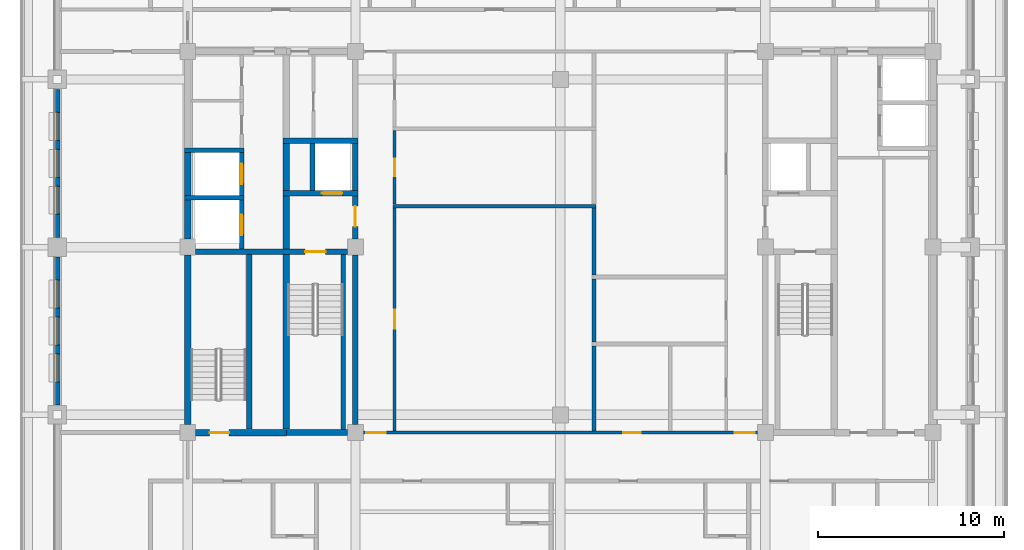
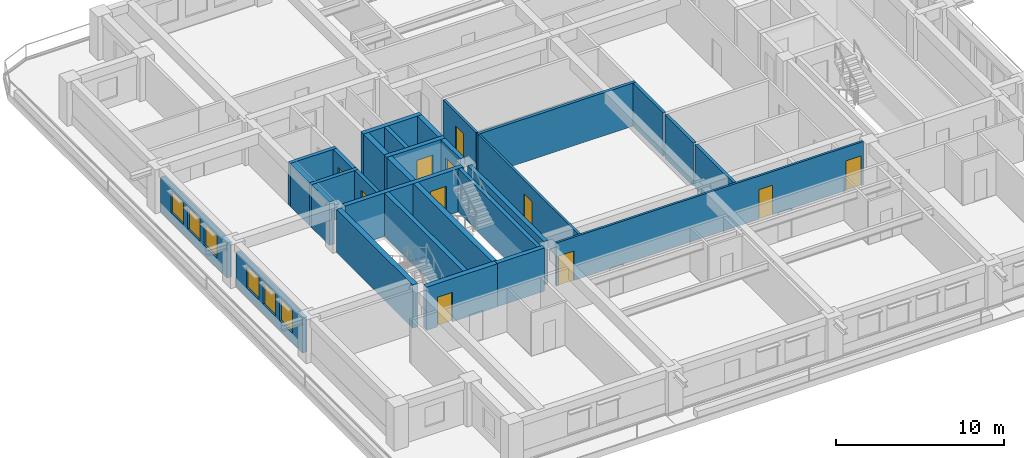
# One storey, part 3 of 14: 30 walls, 11 doors, 6 windows, 17 openings.
"""IFC4 building model written with IfcOpenShell, lengths in metres."""

from ifc_helpers import new_model, si_unit, direction, frame, frame_2d, origin, place, context, subcontext, project, spatial, rectangle, extrude, material, layer, layer_set, type_object, element, fill, save


model = new_model("IFC4")

# Units and contexts
model_context = context("Model", 3, precision=1e-05, world=origin(), true_north=direction((0.0, 1.0)))
body_context = subcontext(model_context, "Body", "Model", "MODEL_VIEW")
ifc_project = project(units=[si_unit("LENGTHUNIT", "METRE"), si_unit("AREAUNIT", "SQUARE_METRE"), si_unit("VOLUMEUNIT", "CUBIC_METRE"), si_unit("PLANEANGLEUNIT", "RADIAN"), si_unit("MASSUNIT", "GRAM", prefix="KILO")], contexts=[model_context])

# Site, building, storey
site_placement = place(None, origin())
site = spatial("IfcSite", under=ifc_project, at=site_placement, CompositionType="ELEMENT")
building_placement = place(site_placement, origin())
building = spatial("IfcBuilding", under=site, at=building_placement, Name="Zulmaris Gate Convention Tower", CompositionType="ELEMENT")
storey_placement = place(building_placement, frame((0.0, 0.0, 198.260009765625)))
storey = spatial("IfcBuildingStorey", under=building, at=storey_placement, Name="L51", CompositionType="ELEMENT", Elevation=198.260009765625)

# Walls
ifc_material_1 = material(Name="Concrete C50/60", Category="concrete")
ifc_layer_1 = layer(ifc_material_1, 0.25, Name="Concrete C50/60")
ifc_layer_set_1 = layer_set([ifc_layer_1], Name="Concrete C50/60")
wall_type_1 = type_object("IfcWallType", Name="CORE-250", PredefinedType="SOLIDWALL", material=ifc_layer_set_1)
for number, where, z_axis, x_axis, name in (
    (1, (-20.175048828125, 2.64990234375, 0.0), (0.0, 0.0, 1.0), (1.0, 0.0, 0.0), "WL-L51-007"),
    (2, (-20.175048828125, 5.199951171875, 0.0), (0.0, 0.0, 1.0), (1.0, 0.0, 0.0), "WL-L51-010"),
):
    element("IfcWall", number, at=place(storey_placement, frame(where, z_axis=z_axis, x_axis=x_axis)), inside=storey, type_object=wall_type_1, Name=name, PredefinedType="SOLIDWALL", context=body_context, shape_type="SweptSolid", body=[
        extrude(rectangle(XDim=3.199951171875, YDim=0.25, at=frame_2d((1.60009765625, 0.0))), origin(), (0.0, 0.0, 1.0), 3.14990234375),
    ])

# Wall, opening, door
wall_1_placement = place(storey_placement, frame((-17.10009765625, -0.097900390625, 0.0), z_axis=(0.0, 0.0, 1.0), x_axis=(0.0, 1.0, 0.0)))
wall_1 = element("IfcWall", 3, at=wall_1_placement, inside=storey, type_object=wall_type_1, Name="WL-L51-045", PredefinedType="SOLIDWALL", context=body_context, shape_type="SweptSolid", body=[
    extrude(rectangle(XDim=2.620849609375, YDim=0.25, at=frame_2d((1.310546875, 0.0))), origin(), (0.0, 0.0, 1.0), 3.14990234375),
])
opening_1_placement = place(wall_1_placement, frame((0.748046875, 0.0, 0.0)))
opening_1 = element("IfcOpeningElement", 4, at=opening_1_placement, cuts=wall_1, Name="Opening D-06", PredefinedType="OPENING", context=body_context, shape_type="SweptSolid", body=[
    extrude(rectangle(XDim=1.10009765625, YDim=2.199951171875, at=frame_2d((0.550048828125, 1.10009765625))), frame((0.0, 0.135009765625, 0.0), z_axis=(0.0, -1.0, 0.0), x_axis=(1.0, 0.0, 0.0)), (0.0, 0.0, 1.0), 0.27001953125),
])
ifc_material_2 = material(Name="Brushed Stainless Steel", Category="steel")
door_type_1 = type_object("IfcDoorType", Name="LD-1100", OperationType="NOTDEFINED", PredefinedType="DOOR", material=ifc_material_2)
door_1_placement = place(opening_1_placement, origin())
door_1 = element("IfcDoor", 5, at=door_1_placement, inside=storey, type_object=door_type_1, Name="L51 Lift Landing Door HP-03 11", OperationType="SLIDING_TO_LEFT", OverallHeight=2.199951171875, OverallWidth=1.10009765625, PredefinedType="DOOR", context=body_context, shape_type="SweptSolid", body=[
    extrude(rectangle(XDim=1.10009765625, YDim=2.199951171875, at=frame_2d((0.550048828125, 1.10009765625))), frame((0.0, 0.02490234375, 0.0), z_axis=(0.0, -1.0, 0.0), x_axis=(1.0, 0.0, 0.0)), (0.0, 0.0, 1.0), 0.050048828125),
])
fill(opening_1, door_1)

wall_2_placement = place(storey_placement, frame((-17.10009765625, 2.777099609375, 0.0), z_axis=(0.0, 0.0, 1.0), x_axis=(0.0, 1.0, 0.0)))
wall_2 = element("IfcWall", 6, at=wall_2_placement, inside=storey, type_object=wall_type_1, Name="WL-L51-046", PredefinedType="SOLIDWALL", context=body_context, shape_type="SweptSolid", body=[
    extrude(rectangle(XDim=2.2958984375, YDim=0.25, at=frame_2d((1.14794921875, 0.0))), origin(), (0.0, 0.0, 1.0), 3.14990234375),
])
opening_2_placement = place(wall_2_placement, frame((0.597900390625, 0.0, 0.0)))
opening_2 = element("IfcOpeningElement", 7, at=opening_2_placement, cuts=wall_2, Name="Opening D-06", PredefinedType="OPENING", context=body_context, shape_type="SweptSolid", body=[
    extrude(rectangle(XDim=1.10009765625, YDim=2.199951171875, at=frame_2d((0.550048828125, 1.10009765625))), frame((0.0, 0.135009765625, 0.0), z_axis=(0.0, -1.0, 0.0), x_axis=(1.0, 0.0, 0.0)), (0.0, 0.0, 1.0), 0.27001953125),
])
door_2_placement = place(opening_2_placement, origin())
door_2 = element("IfcDoor", 8, at=door_2_placement, inside=storey, type_object=door_type_1, Name="L51 Lift Landing Door HP-04 12", OperationType="SLIDING_TO_LEFT", OverallHeight=2.199951171875, OverallWidth=1.10009765625, PredefinedType="DOOR", context=body_context, shape_type="SweptSolid", body=[
    extrude(rectangle(XDim=1.10009765625, YDim=2.199951171875, at=frame_2d((0.550048828125, 1.10009765625))), frame((0.0, 0.02490234375, 0.0), z_axis=(0.0, -1.0, 0.0), x_axis=(1.0, 0.0, 0.0)), (0.0, 0.0, 1.0), 0.050048828125),
])
fill(opening_2, door_2)

# Walls
wall_3_placement = place(storey_placement, frame((-13.300048828125, 3.052001953125, 0.0), z_axis=(0.0, 0.0, 1.0), x_axis=(0.0, 1.0, 0.0)))
element("IfcWall", 9, at=wall_3_placement, inside=storey, type_object=wall_type_1, Name="WL-L51-052", PredefinedType="SOLIDWALL", context=body_context, shape_type="SweptSolid", body=[
    extrude(rectangle(XDim=2.49609375, YDim=0.25, at=frame_2d((1.248046875, 0.0))), origin(), (0.0, 0.0, 1.0), 3.14990234375),
])
wall_4_placement = place(storey_placement, frame((-11.64990234375, -9.798095703125, 0.0), z_axis=(0.0, 0.0, 1.0), x_axis=(0.0, 1.0, 0.0)))
element("IfcWall", 10, at=wall_4_placement, inside=storey, type_object=wall_type_1, Name="WL-L51-053", PredefinedType="SOLIDWALL", context=body_context, shape_type="SweptSolid", body=[
    extrude(rectangle(XDim=9.39599609375, YDim=0.25, at=frame_2d((4.697998046875, 0.0))), origin(), (0.0, 0.0, 1.0), 3.14990234375),
])
ifc_layer_2 = layer(ifc_material_1, 0.300048828125, Name="Concrete C50/60")
ifc_layer_set_2 = layer_set([ifc_layer_2], Name="Concrete C50/60")
wall_type_2 = type_object("IfcWallType", Name="CORE-300", PredefinedType="SHEAR", material=ifc_layer_set_2)
wall_5_placement = place(storey_placement, frame((-14.699951171875, -9.949951171875, 0.0), z_axis=(0.0, 0.0, 1.0), x_axis=(1.0, 0.0, 0.0)))
element("IfcWall", 11, at=wall_5_placement, inside=storey, type_object=wall_type_2, Name="WL-L51-002", PredefinedType="SHEAR", context=body_context, shape_type="SweptSolid", body=[
    extrude(rectangle(XDim=3.27099609375, YDim=0.300048828125, at=frame_2d((1.635498046875, 0.0))), origin(), (0.0, 0.0, 1.0), 3.14990234375),
])

# Wall, opening, door
wall_6_placement = place(storey_placement, frame((-19.571044921875, -0.25, 0.0), z_axis=(0.0, 0.0, 1.0), x_axis=(1.0, 0.0, 0.0)))
wall_6 = element("IfcWall", 12, at=wall_6_placement, inside=storey, type_object=wall_type_2, Name="WL-L51-005", PredefinedType="SHEAR", context=body_context, shape_type="SweptSolid", body=[
    extrude(rectangle(XDim=8.14208984375, YDim=0.300048828125, at=frame_2d((4.071044921875, 0.0))), origin(), (0.0, 0.0, 1.0), 3.14990234375),
])
opening_3_placement = place(wall_6_placement, frame((5.87109375, 0.0, 0.0)))
opening_3 = element("IfcOpeningElement", 13, at=opening_3_placement, cuts=wall_6, Name="Opening D-08", PredefinedType="OPENING", context=body_context, shape_type="SweptSolid", body=[
    extrude(rectangle(XDim=1.10009765625, YDim=2.14990234375, at=frame_2d((0.550048828125, 1.074951171875))), frame((0.0, 0.16015625, 0.0), z_axis=(0.0, -1.0, 0.0), x_axis=(1.0, 0.0, 0.0)), (0.0, 0.0, 1.0), 0.320068359375),
])
ifc_material_3 = material(Name="Fire-Rated Steel", Category="steel")
door_type_2 = type_object("IfcDoorType", Name="DR-1100-FD", OperationType="NOTDEFINED", PredefinedType="DOOR", material=ifc_material_3)
door_3_placement = place(opening_3_placement, origin())
door_3 = element("IfcDoor", 14, at=door_3_placement, inside=storey, type_object=door_type_2, Name="L51 Exit Stair ST-1 Door 01", OperationType="SINGLE_SWING_RIGHT", OverallHeight=2.14990234375, OverallWidth=1.10009765625, PredefinedType="DOOR", context=body_context, shape_type="SweptSolid", body=[
    extrude(rectangle(XDim=1.10009765625, YDim=2.14990234375, at=frame_2d((0.550048828125, 1.074951171875))), frame((0.0, 0.02490234375, 0.0), z_axis=(0.0, -1.0, 0.0), x_axis=(1.0, 0.0, 0.0)), (0.0, 0.0, 1.0), 0.050048828125),
])
fill(opening_3, door_3)

wall_7_placement = place(storey_placement, frame((-14.875, 2.89990234375, 0.0), z_axis=(0.0, 0.0, 1.0), x_axis=(1.0, 0.0, 0.0)))
wall_7 = element("IfcWall", 15, at=wall_7_placement, inside=storey, type_object=wall_type_2, Name="WL-L51-008", PredefinedType="SHEAR", context=body_context, shape_type="SweptSolid", body=[
    extrude(rectangle(XDim=4.02490234375, YDim=0.300048828125, at=frame_2d((2.012451171875, 0.0))), origin(), (0.0, 0.0, 1.0), 3.14990234375),
])
opening_4_placement = place(wall_7_placement, frame((2.074951171875, 0.0, 0.0)))
opening_4 = element("IfcOpeningElement", 16, at=opening_4_placement, cuts=wall_7, Name="Opening D-06", PredefinedType="OPENING", context=body_context, shape_type="SweptSolid", body=[
    extrude(rectangle(XDim=1.10009765625, YDim=2.199951171875, at=frame_2d((0.550048828125, 1.10009765625))), frame((0.0, 0.16015625, 0.0), z_axis=(0.0, -1.0, 0.0), x_axis=(1.0, 0.0, 0.0)), (0.0, 0.0, 1.0), 0.320068359375),
])
door_4_placement = place(opening_4_placement, origin())
door_4 = element("IfcDoor", 17, at=door_4_placement, inside=storey, type_object=door_type_1, Name="L51 Lift Landing Door LF-01 03", OperationType="SLIDING_TO_LEFT", OverallHeight=2.199951171875, OverallWidth=1.10009765625, PredefinedType="DOOR", context=body_context, shape_type="SweptSolid", body=[
    extrude(rectangle(XDim=1.10009765625, YDim=2.199951171875, at=frame_2d((0.550048828125, 1.10009765625))), frame((0.0, 0.02490234375, 0.0), z_axis=(0.0, -1.0, 0.0), x_axis=(1.0, 0.0, 0.0)), (0.0, 0.0, 1.0), 0.050048828125),
])
fill(opening_4, door_4)

# Walls
wall_8_placement = place(storey_placement, frame((-14.875, 5.699951171875, 0.0), z_axis=(0.0, 0.0, 1.0), x_axis=(1.0, 0.0, 0.0)))
element("IfcWall", 18, at=wall_8_placement, inside=storey, type_object=wall_type_2, Name="WL-L51-012", PredefinedType="SHEAR", context=body_context, shape_type="SweptSolid", body=[
    extrude(rectangle(XDim=4.02490234375, YDim=0.300048828125, at=frame_2d((2.012451171875, 0.0))), origin(), (0.0, 0.0, 1.0), 3.14990234375),
])
wall_9_placement = place(storey_placement, frame((-16.699951171875, -9.77294921875, 0.0), z_axis=(0.0, 0.0, 1.0), x_axis=(0.0, 1.0, 0.0)))
element("IfcWall", 19, at=wall_9_placement, inside=storey, type_object=wall_type_2, Name="WL-L51-047", PredefinedType="SHEAR", context=body_context, shape_type="SweptSolid", body=[
    extrude(rectangle(XDim=9.370849609375, YDim=0.300048828125, at=frame_2d((4.685546875, 0.0))), origin(), (0.0, 0.0, 1.0), 3.14990234375),
])
wall_10_placement = place(storey_placement, frame((-11.0, -9.52099609375, 0.0), z_axis=(0.0, 0.0, 1.0), x_axis=(0.0, 1.0, 0.0)))
element("IfcWall", 20, at=wall_10_placement, inside=storey, type_object=wall_type_2, Name="WL-L51-054", PredefinedType="SHEAR", context=body_context, shape_type="SweptSolid", body=[
    extrude(rectangle(XDim=9.092041015625, YDim=0.300048828125, at=frame_2d((4.5458984375, 0.0))), origin(), (0.0, 0.0, 1.0), 3.14990234375),
])

# Wall, opening, door
wall_11_placement = place(storey_placement, frame((-11.0, 0.428955078125, 0.0), z_axis=(0.0, 0.0, 1.0), x_axis=(0.0, 1.0, 0.0)))
wall_11 = element("IfcWall", 21, at=wall_11_placement, inside=storey, type_object=wall_type_2, Name="WL-L51-055", PredefinedType="SHEAR", context=body_context, shape_type="SweptSolid", body=[
    extrude(rectangle(XDim=2.319091796875, YDim=0.300048828125, at=frame_2d((1.15966796875, 0.0))), origin(), (0.0, 0.0, 1.0), 3.14990234375),
])
opening_5_placement = place(wall_11_placement, frame((0.6708984375, 0.0, 0.0)))
opening_5 = element("IfcOpeningElement", 22, at=opening_5_placement, cuts=wall_11, Name="Opening D-08", PredefinedType="OPENING", context=body_context, shape_type="SweptSolid", body=[
    extrude(rectangle(XDim=1.10009765625, YDim=2.14990234375, at=frame_2d((0.550048828125, 1.074951171875))), frame((0.0, 0.16015625, 0.0), z_axis=(0.0, -1.0, 0.0), x_axis=(1.0, 0.0, 0.0)), (0.0, 0.0, 1.0), 0.320068359375),
])
door_5_placement = place(opening_5_placement, origin())
door_5 = element("IfcDoor", 23, at=door_5_placement, inside=storey, type_object=door_type_2, Name="L51 West Firefighting Lobby Door 02", OperationType="SINGLE_SWING_LEFT", OverallHeight=2.14990234375, OverallWidth=1.10009765625, PredefinedType="DOOR", context=body_context, shape_type="SweptSolid", body=[
    extrude(rectangle(XDim=1.10009765625, YDim=2.14990234375, at=frame_2d((0.550048828125, 1.074951171875))), frame((0.0, 0.02490234375, 0.0), z_axis=(0.0, -1.0, 0.0), x_axis=(1.0, 0.0, 0.0)), (0.0, 0.0, 1.0), 0.050048828125),
])
fill(opening_5, door_5)

# Wall
wall_12_placement = place(storey_placement, frame((-11.0, 3.052001953125, 0.0), z_axis=(0.0, 0.0, 1.0), x_axis=(0.0, 1.0, 0.0)))
element("IfcWall", 24, at=wall_12_placement, inside=storey, type_object=wall_type_2, Name="WL-L51-056", PredefinedType="SHEAR", context=body_context, shape_type="SweptSolid", body=[
    extrude(rectangle(XDim=2.49609375, YDim=0.300048828125, at=frame_2d((1.248046875, 0.0))), origin(), (0.0, 0.0, 1.0), 3.14990234375),
])

# Wall, opening, door
ifc_material_4 = material(Name="Concrete C55/67", Category="concrete")
ifc_layer_3 = layer(ifc_material_4, 0.35009765625, Name="Concrete C55/67")
ifc_layer_set_3 = layer_set([ifc_layer_3], Name="Concrete C55/67")
wall_type_3 = type_object("IfcWallType", Name="CORE-350", PredefinedType="SHEAR", material=ifc_layer_set_3)
wall_13_placement = place(storey_placement, frame((-19.571044921875, -9.949951171875, 0.0), z_axis=(0.0, 0.0, 1.0), x_axis=(1.0, 0.0, 0.0)))
wall_13 = element("IfcWall", 25, at=wall_13_placement, inside=storey, type_object=wall_type_3, Name="WL-L51-001", PredefinedType="SHEAR", context=body_context, shape_type="SweptSolid", body=[
    extrude(rectangle(XDim=4.87109375, YDim=0.35009765625, at=frame_2d((2.435546875, 0.0))), origin(), (0.0, 0.0, 1.0), 3.14990234375),
])
opening_6_placement = place(wall_13_placement, frame((0.74609375, 0.0, 0.0)))
opening_6 = element("IfcOpeningElement", 26, at=opening_6_placement, cuts=wall_13, Name="Opening D-09", PredefinedType="OPENING", context=body_context, shape_type="SweptSolid", body=[
    extrude(rectangle(XDim=1.050048828125, YDim=2.14990234375, at=frame_2d((0.52490234375, 1.074951171875))), frame((0.0, 0.18505859375, 0.0), z_axis=(0.0, -1.0, 0.0), x_axis=(1.0, 0.0, 0.0)), (0.0, 0.0, 1.0), 0.3701171875),
])
door_type_3 = type_object("IfcDoorType", Name="DR-1050-FD", OperationType="NOTDEFINED", PredefinedType="DOOR", material=ifc_material_3)
door_6_placement = place(opening_6_placement, origin())
door_6 = element("IfcDoor", 27, at=door_6_placement, inside=storey, type_object=door_type_3, Name="L51 Exit Stair ST-3 Door 10", OperationType="SINGLE_SWING_LEFT", OverallHeight=2.14990234375, OverallWidth=1.050048828125, PredefinedType="DOOR", context=body_context, shape_type="SweptSolid", body=[
    extrude(rectangle(XDim=1.050048828125, YDim=2.14990234375, at=frame_2d((0.52490234375, 1.074951171875))), frame((0.0, 0.02490234375, 0.0), z_axis=(0.0, -1.0, 0.0), x_axis=(1.0, 0.0, 0.0)), (0.0, 0.0, 1.0), 0.050048828125),
])
fill(opening_6, door_6)

# Walls
wall_14_placement = place(storey_placement, frame((-20.0, -9.52099609375, 0.0), z_axis=(0.0, 0.0, 1.0), x_axis=(0.0, 1.0, 0.0)))
element("IfcWall", 28, at=wall_14_placement, inside=storey, type_object=wall_type_3, Name="WL-L51-041", PredefinedType="SHEAR", context=body_context, shape_type="SweptSolid", body=[
    extrude(rectangle(XDim=9.092041015625, YDim=0.35009765625, at=frame_2d((4.5458984375, 0.0))), origin(), (0.0, 0.0, 1.0), 3.14990234375),
])
wall_15_placement = place(storey_placement, frame((-20.0, 0.428955078125, 0.0), z_axis=(0.0, 0.0, 1.0), x_axis=(0.0, 1.0, 0.0)))
element("IfcWall", 29, at=wall_15_placement, inside=storey, type_object=wall_type_3, Name="WL-L51-042", PredefinedType="SHEAR", context=body_context, shape_type="SweptSolid", body=[
    extrude(rectangle(XDim=2.093994140625, YDim=0.35009765625, at=frame_2d((1.046875, 0.0))), origin(), (0.0, 0.0, 1.0), 3.14990234375),
])
wall_16_placement = place(storey_placement, frame((-20.0, 2.777099609375, 0.0), z_axis=(0.0, 0.0, 1.0), x_axis=(0.0, 1.0, 0.0)))
element("IfcWall", 30, at=wall_16_placement, inside=storey, type_object=wall_type_3, Name="WL-L51-043", PredefinedType="SHEAR", context=body_context, shape_type="SweptSolid", body=[
    extrude(rectangle(XDim=2.2958984375, YDim=0.35009765625, at=frame_2d((1.14794921875, 0.0))), origin(), (0.0, 0.0, 1.0), 3.14990234375),
])
wall_17_placement = place(storey_placement, frame((-14.699951171875, -9.77294921875, 0.0), z_axis=(0.0, 0.0, 1.0), x_axis=(0.0, 1.0, 0.0)))
element("IfcWall", 31, at=wall_17_placement, inside=storey, type_object=wall_type_3, Name="WL-L51-048", PredefinedType="SHEAR", context=body_context, shape_type="SweptSolid", body=[
    extrude(rectangle(XDim=9.370849609375, YDim=0.35009765625, at=frame_2d((4.685546875, 0.0))), origin(), (0.0, 0.0, 1.0), 3.14990234375),
])
wall_18_placement = place(storey_placement, frame((-14.699951171875, -0.097900390625, 0.0), z_axis=(0.0, 0.0, 1.0), x_axis=(0.0, 1.0, 0.0)))
element("IfcWall", 32, at=wall_18_placement, inside=storey, type_object=wall_type_3, Name="WL-L51-049", PredefinedType="SHEAR", context=body_context, shape_type="SweptSolid", body=[
    extrude(rectangle(XDim=2.845947265625, YDim=0.35009765625, at=frame_2d((1.4228515625, 0.0))), origin(), (0.0, 0.0, 1.0), 3.14990234375),
])
wall_19_placement = place(storey_placement, frame((-14.699951171875, 3.052001953125, 0.0), z_axis=(0.0, 0.0, 1.0), x_axis=(0.0, 1.0, 0.0)))
element("IfcWall", 33, at=wall_19_placement, inside=storey, type_object=wall_type_3, Name="WL-L51-050", PredefinedType="SHEAR", context=body_context, shape_type="SweptSolid", body=[
    extrude(rectangle(XDim=2.49609375, YDim=0.35009765625, at=frame_2d((1.248046875, 0.0))), origin(), (0.0, 0.0, 1.0), 3.14990234375),
])

# Wall, openings, doors
ifc_material_5 = material(Name="Gypsum Metal Stud Partition")
ifc_layer_4 = layer(ifc_material_5, 0.14990234375, Name="Gypsum Metal Stud Partition")
ifc_layer_set_4 = layer_set([ifc_layer_4], Name="Gypsum Metal Stud Partition")
wall_type_4 = type_object("IfcWallType", Name="PART-150", PredefinedType="PARTITIONING", material=ifc_layer_set_4)
wall_20_placement = place(storey_placement, frame((-10.569091796875, -9.949951171875, 0.0), z_axis=(0.0, 0.0, 1.0), x_axis=(1.0, 0.0, 0.0)))
wall_20 = element("IfcWall", 34, at=wall_20_placement, inside=storey, type_object=wall_type_4, Name="WL-L51-026", PredefinedType="PARTITIONING", context=body_context, shape_type="SweptSolid", body=[
    extrude(rectangle(XDim=21.13818359375, YDim=0.14990234375, at=frame_2d((10.569091796875, 0.0))), origin(), (0.0, 0.0, 1.0), 3.14990234375),
])
opening_7_placement = place(wall_20_placement, frame((0.14990234375, 0.0, 0.0)))
opening_7 = element("IfcOpeningElement", 35, at=opening_7_placement, cuts=wall_20, Name="Opening D-09", PredefinedType="OPENING", context=body_context, shape_type="SweptSolid", body=[
    extrude(rectangle(XDim=1.050048828125, YDim=2.14990234375, at=frame_2d((0.52490234375, 1.074951171875))), frame((0.0, 0.0849609375, 0.0), z_axis=(0.0, -1.0, 0.0), x_axis=(1.0, 0.0, 0.0)), (0.0, 0.0, 1.0), 0.169921875),
])
opening_8_placement = place(wall_20_placement, frame((19.93798828125, 0.0, 0.0)))
opening_8 = element("IfcOpeningElement", 36, at=opening_8_placement, cuts=wall_20, Name="Opening D-09", PredefinedType="OPENING", context=body_context, shape_type="SweptSolid", body=[
    extrude(rectangle(XDim=1.050048828125, YDim=2.14990234375, at=frame_2d((0.52490234375, 1.074951171875))), frame((0.0, 0.0849609375, 0.0), z_axis=(0.0, -1.0, 0.0), x_axis=(1.0, 0.0, 0.0)), (0.0, 0.0, 1.0), 0.169921875),
])
opening_9_placement = place(wall_20_placement, frame((13.944091796875, 0.0, 0.0)))
opening_9 = element("IfcOpeningElement", 37, at=opening_9_placement, cuts=wall_20, Name="Opening D-11", PredefinedType="OPENING", context=body_context, shape_type="SweptSolid", body=[
    extrude(rectangle(XDim=0.949951171875, YDim=2.14990234375, at=frame_2d((0.47509765625, 1.074951171875))), frame((0.0, 0.0849609375, 0.0), z_axis=(0.0, -1.0, 0.0), x_axis=(1.0, 0.0, 0.0)), (0.0, 0.0, 1.0), 0.169921875),
])
door_7_placement = place(opening_7_placement, origin())
door_7 = element("IfcDoor", 38, at=door_7_placement, inside=storey, type_object=door_type_3, Name="L51 SW Hotel Loop Door 22", OperationType="SINGLE_SWING_LEFT", OverallHeight=2.14990234375, OverallWidth=1.050048828125, PredefinedType="DOOR", context=body_context, shape_type="SweptSolid", body=[
    extrude(rectangle(XDim=1.050048828125, YDim=2.14990234375, at=frame_2d((0.52490234375, 1.074951171875))), frame((0.0, 0.02490234375, 0.0), z_axis=(0.0, -1.0, 0.0), x_axis=(1.0, 0.0, 0.0)), (0.0, 0.0, 1.0), 0.050048828125),
])
fill(opening_7, door_7)
door_8_placement = place(opening_8_placement, origin())
door_8 = element("IfcDoor", 39, at=door_8_placement, inside=storey, type_object=door_type_3, Name="L51 SE Hotel Loop Door 24", OperationType="SINGLE_SWING_LEFT", OverallHeight=2.14990234375, OverallWidth=1.050048828125, PredefinedType="DOOR", context=body_context, shape_type="SweptSolid", body=[
    extrude(rectangle(XDim=1.050048828125, YDim=2.14990234375, at=frame_2d((0.52490234375, 1.074951171875))), frame((0.0, 0.02490234375, 0.0), z_axis=(0.0, -1.0, 0.0), x_axis=(1.0, 0.0, 0.0)), (0.0, 0.0, 1.0), 0.050048828125),
])
fill(opening_8, door_8)
ifc_material_6 = material(Name="Fire-Rated Timber", Category="wood")
door_type_4 = type_object("IfcDoorType", Name="DR-950-FD", OperationType="NOTDEFINED", PredefinedType="DOOR", material=ifc_material_6)
door_9_placement = place(opening_9_placement, origin())
door_9 = element("IfcDoor", 40, at=door_9_placement, inside=storey, type_object=door_type_4, Name="L51 Staging Store Door 45", OperationType="SINGLE_SWING_RIGHT", OverallHeight=2.14990234375, OverallWidth=0.949951171875, PredefinedType="DOOR", context=body_context, shape_type="SweptSolid", body=[
    extrude(rectangle(XDim=0.949951171875, YDim=2.14990234375, at=frame_2d((0.47509765625, 1.074951171875))), frame((0.0, 0.02490234375, 0.0), z_axis=(0.0, -1.0, 0.0), x_axis=(1.0, 0.0, 0.0)), (0.0, 0.0, 1.0), 0.050048828125),
])
fill(opening_9, door_9)

# Wall, opening, door
wall_21_placement = place(storey_placement, frame((-8.89990234375, -9.8720703125, 0.0), z_axis=(0.0, 0.0, 1.0), x_axis=(0.0, 1.0, 0.0)))
wall_21 = element("IfcWall", 41, at=wall_21_placement, inside=storey, type_object=wall_type_4, Name="WL-L51-084", PredefinedType="PARTITIONING", context=body_context, shape_type="SweptSolid", body=[
    extrude(rectangle(XDim=11.968994140625, YDim=0.14990234375, at=frame_2d((5.984375, 0.0))), origin(), (0.0, 0.0, 1.0), 3.14990234375),
])
opening_10_placement = place(wall_21_placement, frame((5.501953125, 0.0, 0.0)))
opening_10 = element("IfcOpeningElement", 42, at=opening_10_placement, cuts=wall_21, Name="Opening D-10", PredefinedType="OPENING", context=body_context, shape_type="SweptSolid", body=[
    extrude(rectangle(XDim=1.0, YDim=2.14990234375, at=frame_2d((0.5, 1.074951171875))), frame((0.0, 0.0849609375, 0.0), z_axis=(0.0, -1.0, 0.0), x_axis=(1.0, 0.0, 0.0)), (0.0, 0.0, 1.0), 0.169921875),
])
door_type_5 = type_object("IfcDoorType", Name="DR-1000-FD", OperationType="NOTDEFINED", PredefinedType="DOOR", material=ifc_material_6)
door_10_placement = place(opening_10_placement, origin())
door_10 = element("IfcDoor", 43, at=door_10_placement, inside=storey, type_object=door_type_5, Name="L51 Guest Study Door 41", OperationType="SINGLE_SWING_RIGHT", OverallHeight=2.14990234375, OverallWidth=1.0, PredefinedType="DOOR", context=body_context, shape_type="SweptSolid", body=[
    extrude(rectangle(XDim=1.0, YDim=2.14990234375, at=frame_2d((0.5, 1.074951171875))), frame((0.0, 0.02490234375, 0.0), z_axis=(0.0, -1.0, 0.0), x_axis=(1.0, 0.0, 0.0)), (0.0, 0.0, 1.0), 0.050048828125),
])
fill(opening_10, door_10)

wall_22_placement = place(storey_placement, frame((-8.89990234375, 2.302978515625, 0.0), z_axis=(0.0, 0.0, 1.0), x_axis=(0.0, 1.0, 0.0)))
wall_22 = element("IfcWall", 44, at=wall_22_placement, inside=storey, type_object=wall_type_4, Name="WL-L51-085", PredefinedType="PARTITIONING", context=body_context, shape_type="SweptSolid", body=[
    extrude(rectangle(XDim=3.944091796875, YDim=0.14990234375, at=frame_2d((1.97216796875, 0.0))), origin(), (0.0, 0.0, 1.0), 3.14990234375),
])
opening_11_placement = place(wall_22_placement, frame((1.501953125, 0.0, 0.0)))
opening_11 = element("IfcOpeningElement", 45, at=opening_11_placement, cuts=wall_22, Name="Opening D-11", PredefinedType="OPENING", context=body_context, shape_type="SweptSolid", body=[
    extrude(rectangle(XDim=0.949951171875, YDim=2.14990234375, at=frame_2d((0.47509765625, 1.074951171875))), frame((0.0, 0.0849609375, 0.0), z_axis=(0.0, -1.0, 0.0), x_axis=(1.0, 0.0, 0.0)), (0.0, 0.0, 1.0), 0.169921875),
])
door_11_placement = place(opening_11_placement, origin())
door_11 = element("IfcDoor", 46, at=door_11_placement, inside=storey, type_object=door_type_4, Name="L51 Tea Salon Door 40", OperationType="SINGLE_SWING_LEFT", OverallHeight=2.14990234375, OverallWidth=0.949951171875, PredefinedType="DOOR", context=body_context, shape_type="SweptSolid", body=[
    extrude(rectangle(XDim=0.949951171875, YDim=2.14990234375, at=frame_2d((0.47509765625, 1.074951171875))), frame((0.0, 0.02490234375, 0.0), z_axis=(0.0, -1.0, 0.0), x_axis=(1.0, 0.0, 0.0)), (0.0, 0.0, 1.0), 0.050048828125),
])
fill(opening_11, door_11)

# Walls
ifc_material_7 = material(Name="Autoclaved Aerated Concrete Block and Plasterboard", Category="concrete")
ifc_layer_5 = layer(ifc_material_7, 0.199951171875, Name="Autoclaved Aerated Concrete Block and Plasterboard")
ifc_layer_set_5 = layer_set([ifc_layer_5], Name="Autoclaved Aerated Concrete Block and Plasterboard")
wall_type_5 = type_object("IfcWallType", Name="PART-200", PredefinedType="PARTITIONING", material=ifc_layer_set_5)
wall_23_placement = place(storey_placement, frame((-8.97509765625, 2.199951171875, 0.0), z_axis=(0.0, 0.0, 1.0), x_axis=(1.0, 0.0, 0.0)))
element("IfcWall", 47, at=wall_23_placement, inside=storey, type_object=wall_type_5, Name="WL-L51-029", PredefinedType="PARTITIONING", context=body_context, shape_type="SweptSolid", body=[
    extrude(rectangle(XDim=10.875, YDim=0.199951171875, at=frame_2d((5.4375, 0.0))), origin(), (0.0, 0.0, 1.0), 3.14990234375),
])
wall_24_placement = place(storey_placement, frame((1.800048828125, -9.8720703125, 0.0), z_axis=(0.0, 0.0, 1.0), x_axis=(0.0, 1.0, 0.0)))
element("IfcWall", 48, at=wall_24_placement, inside=storey, type_object=wall_type_5, Name="WL-L51-093", PredefinedType="PARTITIONING", context=body_context, shape_type="SweptSolid", body=[
    extrude(rectangle(XDim=4.569091796875, YDim=0.199951171875, at=frame_2d((2.28466796875, 0.0))), origin(), (0.0, 0.0, 1.0), 3.14990234375),
])
wall_25_placement = place(storey_placement, frame((1.800048828125, -5.096923828125, 0.0), z_axis=(0.0, 0.0, 1.0), x_axis=(0.0, 1.0, 0.0)))
element("IfcWall", 49, at=wall_25_placement, inside=storey, type_object=wall_type_5, Name="WL-L51-094", PredefinedType="PARTITIONING", context=body_context, shape_type="SweptSolid", body=[
    extrude(rectangle(XDim=3.39404296875, YDim=0.199951171875, at=frame_2d((1.697021484375, 0.0))), origin(), (0.0, 0.0, 1.0), 3.14990234375),
])
wall_26_placement = place(storey_placement, frame((1.800048828125, -1.4970703125, 0.0), z_axis=(0.0, 0.0, 1.0), x_axis=(0.0, 1.0, 0.0)))
element("IfcWall", 50, at=wall_26_placement, inside=storey, type_object=wall_type_5, Name="WL-L51-095", PredefinedType="PARTITIONING", context=body_context, shape_type="SweptSolid", body=[
    extrude(rectangle(XDim=3.593994140625, YDim=0.199951171875, at=frame_2d((1.796875, 0.0))), origin(), (0.0, 0.0, 1.0), 3.14990234375),
])

# Wall, openings, windows
ifc_material_8 = material(Name="Precast concrete C40/50", Category="concrete")
ifc_layer_6 = layer(ifc_material_8, 0.300048828125, Name="Precast concrete C40/50")
ifc_layer_set_6 = layer_set([ifc_layer_6], Name="Precast concrete C40/50")
wall_type_6 = type_object("IfcWallType", Name="PRECAST-PIER-300", PredefinedType="STANDARD", material=ifc_layer_set_6)
wall_27_placement = place(storey_placement, frame((-27.0, -0.530029296875, 0.0), z_axis=(0.0, 0.0, 1.0), x_axis=(0.0, -1.0, 0.0)))
wall_27 = element("IfcWall", 51, at=wall_27_placement, inside=storey, type_object=wall_type_6, Name="EW-L51-W-1_0", PredefinedType="STANDARD", context=body_context, shape_type="SweptSolid", body=[
    extrude(rectangle(XDim=7.93994140625, YDim=0.300048828125, at=frame_2d((3.969970703125, 0.0))), origin(), (0.0, 0.0, 1.0), 2.5419921875),
])
opening_12_placement = place(wall_27_placement, frame((1.235107421875, 0.0, 0.719970703125)))
opening_12 = element("IfcOpeningElement", 52, at=opening_12_placement, cuts=wall_27, Name="Opening W-03", PredefinedType="OPENING", context=body_context, shape_type="SweptSolid", body=[
    extrude(rectangle(XDim=1.5, YDim=1.60009765625, at=frame_2d((0.75, 0.800048828125))), frame((0.0, 0.16015625, 0.0), z_axis=(0.0, -1.0, 0.0), x_axis=(1.0, 0.0, 0.0)), (0.0, 0.0, 1.0), 0.320068359375),
])
opening_13_placement = place(wall_27_placement, frame((3.219970703125, 0.0, 0.719970703125)))
opening_13 = element("IfcOpeningElement", 53, at=opening_13_placement, cuts=wall_27, Name="Opening W-03", PredefinedType="OPENING", context=body_context, shape_type="SweptSolid", body=[
    extrude(rectangle(XDim=1.5, YDim=1.60009765625, at=frame_2d((0.75, 0.800048828125))), frame((0.0, 0.16015625, 0.0), z_axis=(0.0, -1.0, 0.0), x_axis=(1.0, 0.0, 0.0)), (0.0, 0.0, 1.0), 0.320068359375),
])
opening_14_placement = place(wall_27_placement, frame((5.205078125, 0.0, 0.719970703125)))
opening_14 = element("IfcOpeningElement", 54, at=opening_14_placement, cuts=wall_27, Name="Opening W-03", PredefinedType="OPENING", context=body_context, shape_type="SweptSolid", body=[
    extrude(rectangle(XDim=1.5, YDim=1.60009765625, at=frame_2d((0.75, 0.800048828125))), frame((0.0, 0.16015625, 0.0), z_axis=(0.0, -1.0, 0.0), x_axis=(1.0, 0.0, 0.0)), (0.0, 0.0, 1.0), 0.320068359375),
])
ifc_material_9 = material(Name="Low-E Laminated Double Glazing in Aluminium Frame", Category="aluminium")
window_type = type_object("IfcWindowType", Name="WIN-1500x2100", PartitioningType="SINGLE_PANEL", PredefinedType="WINDOW", material=ifc_material_9)
window_1_placement = place(opening_12_placement, origin())
window_1 = element("IfcWindow", 55, at=window_1_placement, inside=storey, type_object=window_type, Name="WN-EW-L51-W-1_0-1", OverallHeight=1.60009765625, OverallWidth=1.5, PartitioningType="SINGLE_PANEL", PredefinedType="WINDOW", context=body_context, shape_type="SweptSolid", body=[
    extrude(rectangle(XDim=1.5, YDim=1.60009765625, at=frame_2d((0.75, 0.800048828125))), frame((0.0, 0.030029296875, 0.0), z_axis=(0.0, -1.0, 0.0), x_axis=(1.0, 0.0, 0.0)), (0.0, 0.0, 1.0), 0.06005859375),
])
fill(opening_12, window_1)
window_2_placement = place(opening_13_placement, origin())
window_2 = element("IfcWindow", 56, at=window_2_placement, inside=storey, type_object=window_type, Name="WN-EW-L51-W-1_0-2", OverallHeight=1.60009765625, OverallWidth=1.5, PartitioningType="SINGLE_PANEL", PredefinedType="WINDOW", context=body_context, shape_type="SweptSolid", body=[
    extrude(rectangle(XDim=1.5, YDim=1.60009765625, at=frame_2d((0.75, 0.800048828125))), frame((0.0, 0.030029296875, 0.0), z_axis=(0.0, -1.0, 0.0), x_axis=(1.0, 0.0, 0.0)), (0.0, 0.0, 1.0), 0.06005859375),
])
fill(opening_13, window_2)
window_3_placement = place(opening_14_placement, origin())
window_3 = element("IfcWindow", 57, at=window_3_placement, inside=storey, type_object=window_type, Name="WN-EW-L51-W-1_0-3", OverallHeight=1.60009765625, OverallWidth=1.5, PartitioningType="SINGLE_PANEL", PredefinedType="WINDOW", context=body_context, shape_type="SweptSolid", body=[
    extrude(rectangle(XDim=1.5, YDim=1.60009765625, at=frame_2d((0.75, 0.800048828125))), frame((0.0, 0.030029296875, 0.0), z_axis=(0.0, -1.0, 0.0), x_axis=(1.0, 0.0, 0.0)), (0.0, 0.0, 1.0), 0.06005859375),
])
fill(opening_14, window_3)

wall_28_placement = place(storey_placement, frame((-27.0, 8.469970703125, 0.0), z_axis=(0.0, 0.0, 1.0), x_axis=(0.0, -1.0, 0.0)))
wall_28 = element("IfcWall", 58, at=wall_28_placement, inside=storey, type_object=wall_type_6, Name="EW-L51-W-2_0", PredefinedType="STANDARD", context=body_context, shape_type="SweptSolid", body=[
    extrude(rectangle(XDim=7.93994140625, YDim=0.300048828125, at=frame_2d((3.969970703125, 0.0))), origin(), (0.0, 0.0, 1.0), 2.5419921875),
])
opening_15_placement = place(wall_28_placement, frame((1.235107421875, 0.0, 0.719970703125)))
opening_15 = element("IfcOpeningElement", 59, at=opening_15_placement, cuts=wall_28, Name="Opening W-03", PredefinedType="OPENING", context=body_context, shape_type="SweptSolid", body=[
    extrude(rectangle(XDim=1.5, YDim=1.60009765625, at=frame_2d((0.75, 0.800048828125))), frame((0.0, 0.16015625, 0.0), z_axis=(0.0, -1.0, 0.0), x_axis=(1.0, 0.0, 0.0)), (0.0, 0.0, 1.0), 0.320068359375),
])
opening_16_placement = place(wall_28_placement, frame((3.219970703125, 0.0, 0.719970703125)))
opening_16 = element("IfcOpeningElement", 60, at=opening_16_placement, cuts=wall_28, Name="Opening W-03", PredefinedType="OPENING", context=body_context, shape_type="SweptSolid", body=[
    extrude(rectangle(XDim=1.5, YDim=1.60009765625, at=frame_2d((0.75, 0.800048828125))), frame((0.0, 0.16015625, 0.0), z_axis=(0.0, -1.0, 0.0), x_axis=(1.0, 0.0, 0.0)), (0.0, 0.0, 1.0), 0.320068359375),
])
opening_17_placement = place(wall_28_placement, frame((5.205078125, 0.0, 0.719970703125)))
opening_17 = element("IfcOpeningElement", 61, at=opening_17_placement, cuts=wall_28, Name="Opening W-03", PredefinedType="OPENING", context=body_context, shape_type="SweptSolid", body=[
    extrude(rectangle(XDim=1.5, YDim=1.60009765625, at=frame_2d((0.75, 0.800048828125))), frame((0.0, 0.16015625, 0.0), z_axis=(0.0, -1.0, 0.0), x_axis=(1.0, 0.0, 0.0)), (0.0, 0.0, 1.0), 0.320068359375),
])
window_4_placement = place(opening_15_placement, origin())
window_4 = element("IfcWindow", 62, at=window_4_placement, inside=storey, type_object=window_type, Name="WN-EW-L51-W-2_0-1", OverallHeight=1.60009765625, OverallWidth=1.5, PartitioningType="SINGLE_PANEL", PredefinedType="WINDOW", context=body_context, shape_type="SweptSolid", body=[
    extrude(rectangle(XDim=1.5, YDim=1.60009765625, at=frame_2d((0.75, 0.800048828125))), frame((0.0, 0.030029296875, 0.0), z_axis=(0.0, -1.0, 0.0), x_axis=(1.0, 0.0, 0.0)), (0.0, 0.0, 1.0), 0.06005859375),
])
fill(opening_15, window_4)
window_5_placement = place(opening_16_placement, origin())
window_5 = element("IfcWindow", 63, at=window_5_placement, inside=storey, type_object=window_type, Name="WN-EW-L51-W-2_0-2", OverallHeight=1.60009765625, OverallWidth=1.5, PartitioningType="SINGLE_PANEL", PredefinedType="WINDOW", context=body_context, shape_type="SweptSolid", body=[
    extrude(rectangle(XDim=1.5, YDim=1.60009765625, at=frame_2d((0.75, 0.800048828125))), frame((0.0, 0.030029296875, 0.0), z_axis=(0.0, -1.0, 0.0), x_axis=(1.0, 0.0, 0.0)), (0.0, 0.0, 1.0), 0.06005859375),
])
fill(opening_16, window_5)
window_6_placement = place(opening_17_placement, origin())
window_6 = element("IfcWindow", 64, at=window_6_placement, inside=storey, type_object=window_type, Name="WN-EW-L51-W-2_0-3", OverallHeight=1.60009765625, OverallWidth=1.5, PartitioningType="SINGLE_PANEL", PredefinedType="WINDOW", context=body_context, shape_type="SweptSolid", body=[
    extrude(rectangle(XDim=1.5, YDim=1.60009765625, at=frame_2d((0.75, 0.800048828125))), frame((0.0, 0.030029296875, 0.0), z_axis=(0.0, -1.0, 0.0), x_axis=(1.0, 0.0, 0.0)), (0.0, 0.0, 1.0), 0.06005859375),
])
fill(opening_17, window_6)

save(model, "model.ifc")
